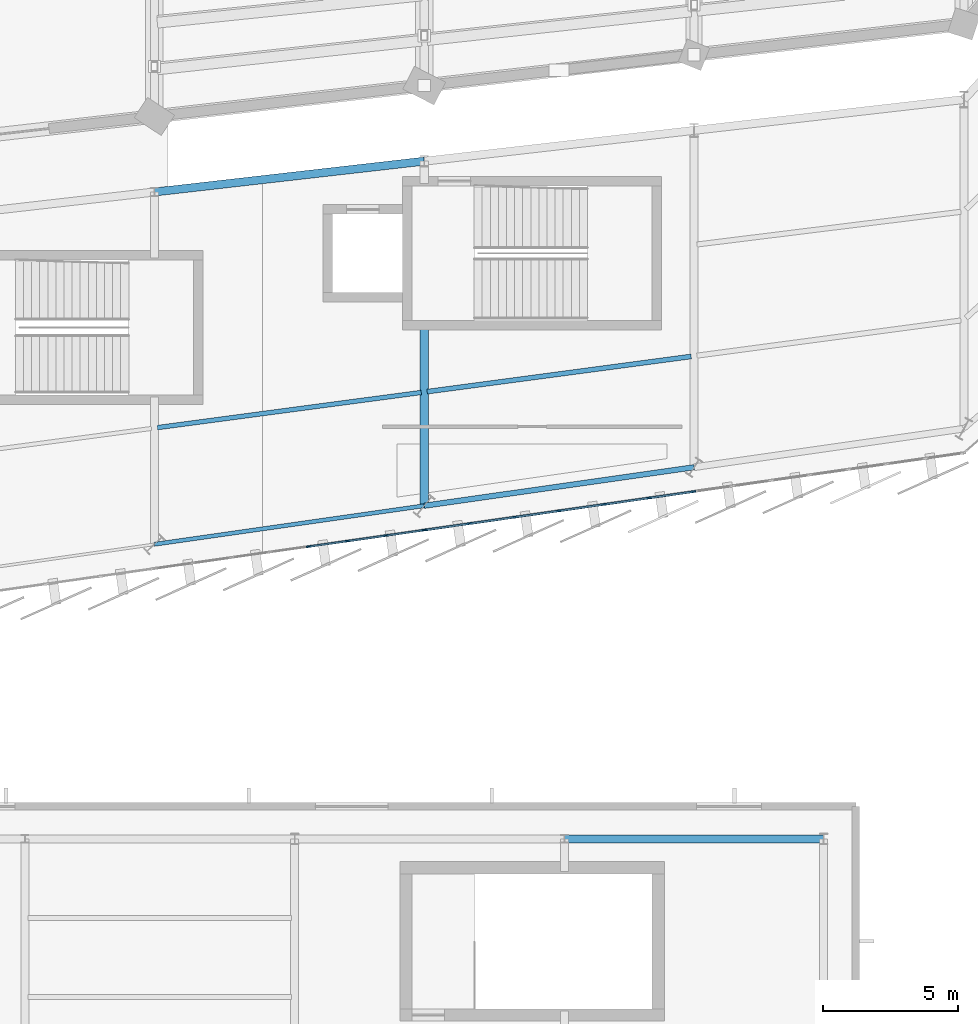
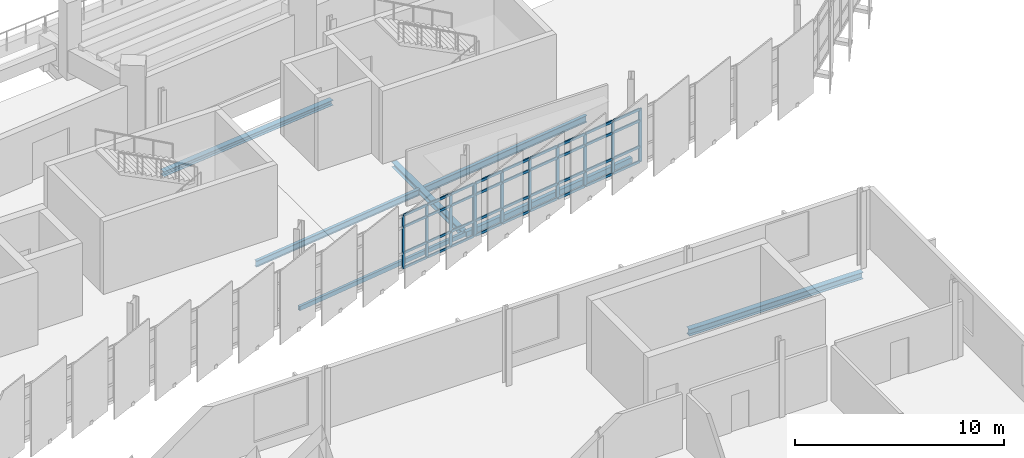
# One storey, part 57 of 120: 47 members, 7 beams, 2 elements without a shape of their own.
"""IFC4 building model written with IfcOpenShell, lengths in metres."""

from ifc_helpers import new_model, si_unit, direction, frame, origin, origin_2d, place, context, subcontext, project, spatial, rectangle, hollow_rectangle, i_section, extrude, material, layer, layer_set, material_profile, profile_set, type_object, element, aggregate, save


model = new_model("IFC4")

# Units and contexts
model_context = context("Model", 3, precision=1e-05, world=origin(), true_north=direction((0.0, 1.0)))
body_context = subcontext(model_context, "Body", "Model", "MODEL_VIEW")
ifc_project = project(units=[si_unit("LENGTHUNIT", "METRE"), si_unit("AREAUNIT", "SQUARE_METRE"), si_unit("VOLUMEUNIT", "CUBIC_METRE"), si_unit("PLANEANGLEUNIT", "RADIAN"), si_unit("MASSUNIT", "GRAM", prefix="KILO")], contexts=[model_context])

# Site, building, storey
site_placement = place(None, origin())
site = spatial("IfcSite", under=ifc_project, at=site_placement, CompositionType="ELEMENT")
building_placement = place(site_placement, origin())
building = spatial("IfcBuilding", under=site, at=building_placement, Name="Sohan Crest Arena", CompositionType="ELEMENT")
storey_placement = place(building_placement, frame((0.0, 0.0, 13.5)))
storey = spatial("IfcBuildingStorey", under=building, at=storey_placement, Name="L03", CompositionType="ELEMENT", Elevation=13.5)

# Curtain wall, members
ifc_material_1 = material(Name="Thermally broken anodised aluminium", Category="aluminium")
ifc_layer_1 = layer(ifc_material_1, 0.18994140625, Name="Thermally broken anodised aluminium")
ifc_layer_set_1 = layer_set([ifc_layer_1], Name="Thermally broken anodised aluminium")
curtain_wall_type_1 = type_object("IfcCurtainWallType", Name="ARC-CW05", PredefinedType="NOTDEFINED", material=ifc_layer_set_1)
curtain_wall_1_placement = place(storey_placement, origin())
curtain_wall_1 = element("IfcCurtainWall", 1, at=curtain_wall_1_placement, inside=storey, type_object=curtain_wall_type_1, Name="Unitised curtain wall CW-094", PredefinedType="NOTDEFINED")
ifc_material_profile_1 = material_profile(ifc_material_1, rectangle(XDim=0.06005859375, YDim=0.159912109375, at=origin_2d()), Name="ALU-MULL 60x160")
ifc_profile_set_1 = profile_set([ifc_material_profile_1], Name="Thermally broken anodised aluminium")
member_type_1 = type_object("IfcMemberType", Name="ARC-CW-ML01", PredefinedType="MULLION", material=ifc_profile_set_1)
member_1_placement = place(storey_placement, frame((143.71435546875, 35.630615234375, 0.0), z_axis=(0.0, 0.0, 1.0), x_axis=(-0.141462933734, 0.989943553128, 0.0)))
member_1 = element("IfcMember", 2, at=member_1_placement, type_object=member_type_1, Name="CW-094 mullion 5", PredefinedType="MULLION", context=body_context, shape_type="SweptSolid", body=[
    extrude(rectangle(XDim=0.06005859375, YDim=0.159912109375, at=origin_2d()), origin(), (0.0, 0.0, 1.0), 3.1201171875),
])
member_2_placement = place(storey_placement, frame((145.142822265625, 35.834716796875, 0.0), z_axis=(0.0, 0.0, 1.0), x_axis=(-0.141462933734, 0.989943553128, 0.0)))
member_2 = element("IfcMember", 3, at=member_2_placement, type_object=member_type_1, Name="CW-094 mullion 6", PredefinedType="MULLION", context=body_context, shape_type="SweptSolid", body=[
    extrude(rectangle(XDim=0.06005859375, YDim=0.159912109375, at=origin_2d()), origin(), (0.0, 0.0, 1.0), 3.1201171875),
])
member_3_placement = place(storey_placement, frame((146.571533203125, 36.038818359375, 0.0), z_axis=(0.0, 0.0, 1.0), x_axis=(-0.141462933734, 0.989943553128, 0.0)))
member_3 = element("IfcMember", 4, at=member_3_placement, type_object=member_type_1, Name="CW-094 mullion 7", PredefinedType="MULLION", context=body_context, shape_type="SweptSolid", body=[
    extrude(rectangle(XDim=0.06005859375, YDim=0.159912109375, at=origin_2d()), origin(), (0.0, 0.0, 1.0), 3.1201171875),
])
member_4_placement = place(storey_placement, frame((147.97021484375, 36.23876953125, 0.0), z_axis=(0.0, 0.0, 1.0), x_axis=(-0.141462933734, 0.989943553128, 0.0)))
member_4 = element("IfcMember", 5, at=member_4_placement, type_object=member_type_1, Name="CW-094 mullion 8", PredefinedType="MULLION", context=body_context, shape_type="SweptSolid", body=[
    extrude(rectangle(XDim=0.06005859375, YDim=0.159912109375, at=origin_2d()), origin(), (0.0, 0.0, 1.0), 3.1201171875),
])

ifc_layer_2 = layer(ifc_material_1, 0.2099609375, Name="Thermally broken anodised aluminium")
ifc_layer_set_2 = layer_set([ifc_layer_2], Name="Thermally broken anodised aluminium")
curtain_wall_type_2 = type_object("IfcCurtainWallType", Name="ARC-CW06", PredefinedType="NOTDEFINED", material=ifc_layer_set_2)
curtain_wall_2_placement = place(storey_placement, origin())
curtain_wall_2 = element("IfcCurtainWall", 6, at=curtain_wall_2_placement, inside=storey, type_object=curtain_wall_type_2, Name="Unitised curtain wall CW-095", PredefinedType="NOTDEFINED")
ifc_material_profile_2 = material_profile(ifc_material_1, rectangle(XDim=0.06494140625, YDim=0.179931640625, at=origin_2d()), Name="ALU-MULL 65x180")
ifc_profile_set_2 = profile_set([ifc_material_profile_2], Name="Thermally broken anodised aluminium")
member_type_2 = type_object("IfcMemberType", Name="ARC-CW-ML02", PredefinedType="MULLION", material=ifc_profile_set_2)
member_5_placement = place(storey_placement, frame((148.0322265625, 36.24755859375, 0.0), z_axis=(0.0, 0.0, 1.0), x_axis=(-0.141365918403, 0.989957411768, 0.0)))
member_5 = element("IfcMember", 7, at=member_5_placement, type_object=member_type_2, Name="CW-095 mullion 1", PredefinedType="MULLION", context=body_context, shape_type="SweptSolid", body=[
    extrude(rectangle(XDim=0.06494140625, YDim=0.179931640625, at=origin_2d()), origin(), (0.0, 0.0, 1.0), 3.1201171875),
])
member_6_placement = place(storey_placement, frame((149.666748046875, 36.48095703125, 0.0), z_axis=(0.0, 0.0, 1.0), x_axis=(-0.141365918403, 0.989957411768, 0.0)))
member_6 = element("IfcMember", 8, at=member_6_placement, type_object=member_type_2, Name="CW-095 mullion 2", PredefinedType="MULLION", context=body_context, shape_type="SweptSolid", body=[
    extrude(rectangle(XDim=0.06494140625, YDim=0.179931640625, at=origin_2d()), origin(), (0.0, 0.0, 1.0), 3.1201171875),
])
member_7_placement = place(storey_placement, frame((151.333251953125, 36.718994140625, 0.0), z_axis=(0.0, 0.0, 1.0), x_axis=(-0.141365918403, 0.989957411768, 0.0)))
member_7 = element("IfcMember", 9, at=member_7_placement, type_object=member_type_2, Name="CW-095 mullion 3", PredefinedType="MULLION", context=body_context, shape_type="SweptSolid", body=[
    extrude(rectangle(XDim=0.06494140625, YDim=0.179931640625, at=origin_2d()), origin(), (0.0, 0.0, 1.0), 3.1201171875),
])
member_8_placement = place(storey_placement, frame((153.0, 36.95703125, 0.0), z_axis=(0.0, 0.0, 1.0), x_axis=(-0.141365918403, 0.989957411768, 0.0)))
member_8 = element("IfcMember", 10, at=member_8_placement, type_object=member_type_2, Name="CW-095 mullion 4", PredefinedType="MULLION", context=body_context, shape_type="SweptSolid", body=[
    extrude(rectangle(XDim=0.06494140625, YDim=0.179931640625, at=origin_2d()), origin(), (0.0, 0.0, 1.0), 3.1201171875),
])
member_9_placement = place(storey_placement, frame((154.666748046875, 37.195068359375, 0.0), z_axis=(0.0, 0.0, 1.0), x_axis=(-0.141365918403, 0.989957411768, 0.0)))
member_9 = element("IfcMember", 11, at=member_9_placement, type_object=member_type_2, Name="CW-095 mullion 5", PredefinedType="MULLION", context=body_context, shape_type="SweptSolid", body=[
    extrude(rectangle(XDim=0.06494140625, YDim=0.179931640625, at=origin_2d()), origin(), (0.0, 0.0, 1.0), 3.1201171875),
])
member_10_placement = place(storey_placement, frame((156.333251953125, 37.43310546875, 0.0), z_axis=(0.0, 0.0, 1.0), x_axis=(-0.141365918403, 0.989957411768, 0.0)))
member_10 = element("IfcMember", 12, at=member_10_placement, type_object=member_type_2, Name="CW-095 mullion 6", PredefinedType="MULLION", context=body_context, shape_type="SweptSolid", body=[
    extrude(rectangle(XDim=0.06494140625, YDim=0.179931640625, at=origin_2d()), origin(), (0.0, 0.0, 1.0), 3.1201171875),
])
member_11_placement = place(storey_placement, frame((157.9677734375, 37.66650390625, 0.0), z_axis=(0.0, 0.0, 1.0), x_axis=(-0.141365918403, 0.989957411768, 0.0)))
member_11 = element("IfcMember", 13, at=member_11_placement, type_object=member_type_2, Name="CW-095 mullion 7", PredefinedType="MULLION", context=body_context, shape_type="SweptSolid", body=[
    extrude(rectangle(XDim=0.06494140625, YDim=0.179931640625, at=origin_2d()), origin(), (0.0, 0.0, 1.0), 3.1201171875),
])

# Member
ifc_material_profile_3 = material_profile(ifc_material_1, rectangle(XDim=0.06494140625, YDim=0.139892578125, at=origin_2d()), Name="ALU-TRAN 65x140")
ifc_profile_set_3 = profile_set([ifc_material_profile_3], Name="Thermally broken anodised aluminium")
member_type_3 = type_object("IfcMemberType", Name="ARC-CW-TR02", PredefinedType="USERDEFINED", material=ifc_profile_set_3)
member_12_placement = place(storey_placement, frame((143.743896484375, 35.634765625, 0.032470703125), z_axis=(0.989928300068, 0.141569632071, 0.0), x_axis=(-0.141569632071, 0.989928300068, 0.0)))
member_12 = element("IfcMember", 14, at=member_12_placement, type_object=member_type_3, Name="CW-094 transom 5.1", ObjectType="TRANSOM", PredefinedType="USERDEFINED", context=body_context, shape_type="SweptSolid", body=[
    extrude(rectangle(XDim=0.06494140625, YDim=0.139892578125, at=origin_2d()), origin(), (0.0, 0.0, 1.0), 1.383056640625),
])

member_13_placement = place(storey_placement, frame((143.743896484375, 35.634765625, 0.89990234375), z_axis=(0.989928300068, 0.141569632071, 0.0), x_axis=(-0.141569632071, 0.989928300068, 0.0)))
member_13 = element("IfcMember", 15, at=member_13_placement, type_object=member_type_3, Name="CW-094 transom 5.2", ObjectType="TRANSOM", PredefinedType="USERDEFINED", context=body_context, shape_type="SweptSolid", body=[
    extrude(rectangle(XDim=0.06494140625, YDim=0.139892578125, at=origin_2d()), origin(), (0.0, 0.0, 1.0), 1.383056640625),
])

member_14_placement = place(storey_placement, frame((143.743896484375, 35.634765625, 2.419921875), z_axis=(0.989928300068, 0.141569632071, 0.0), x_axis=(-0.141569632071, 0.989928300068, 0.0)))
member_14 = element("IfcMember", 16, at=member_14_placement, type_object=member_type_3, Name="CW-094 transom 5.3", ObjectType="TRANSOM", PredefinedType="USERDEFINED", context=body_context, shape_type="SweptSolid", body=[
    extrude(rectangle(XDim=0.06494140625, YDim=0.139892578125, at=origin_2d()), origin(), (0.0, 0.0, 1.0), 1.383056640625),
])

member_15_placement = place(storey_placement, frame((143.743896484375, 35.634765625, 3.08740234375), z_axis=(0.989928300068, 0.141569632071, 0.0), x_axis=(-0.141569632071, 0.989928300068, 0.0)))
member_15 = element("IfcMember", 17, at=member_15_placement, type_object=member_type_3, Name="CW-094 transom 5.4", ObjectType="TRANSOM", PredefinedType="USERDEFINED", context=body_context, shape_type="SweptSolid", body=[
    extrude(rectangle(XDim=0.06494140625, YDim=0.139892578125, at=origin_2d()), origin(), (0.0, 0.0, 1.0), 1.383056640625),
])

member_16_placement = place(storey_placement, frame((145.172607421875, 35.8388671875, 0.032470703125), z_axis=(0.989928300068, 0.141569632071, 0.0), x_axis=(-0.141569632071, 0.989928300068, 0.0)))
member_16 = element("IfcMember", 18, at=member_16_placement, type_object=member_type_3, Name="CW-094 transom 6.1", ObjectType="TRANSOM", PredefinedType="USERDEFINED", context=body_context, shape_type="SweptSolid", body=[
    extrude(rectangle(XDim=0.06494140625, YDim=0.139892578125, at=origin_2d()), origin(), (0.0, 0.0, 1.0), 1.383056640625),
])

member_17_placement = place(storey_placement, frame((145.172607421875, 35.8388671875, 0.89990234375), z_axis=(0.989928300068, 0.141569632071, 0.0), x_axis=(-0.141569632071, 0.989928300068, 0.0)))
member_17 = element("IfcMember", 19, at=member_17_placement, type_object=member_type_3, Name="CW-094 transom 6.2", ObjectType="TRANSOM", PredefinedType="USERDEFINED", context=body_context, shape_type="SweptSolid", body=[
    extrude(rectangle(XDim=0.06494140625, YDim=0.139892578125, at=origin_2d()), origin(), (0.0, 0.0, 1.0), 1.383056640625),
])

member_18_placement = place(storey_placement, frame((145.172607421875, 35.8388671875, 2.419921875), z_axis=(0.989928300068, 0.141569632071, 0.0), x_axis=(-0.141569632071, 0.989928300068, 0.0)))
member_18 = element("IfcMember", 20, at=member_18_placement, type_object=member_type_3, Name="CW-094 transom 6.3", ObjectType="TRANSOM", PredefinedType="USERDEFINED", context=body_context, shape_type="SweptSolid", body=[
    extrude(rectangle(XDim=0.06494140625, YDim=0.139892578125, at=origin_2d()), origin(), (0.0, 0.0, 1.0), 1.383056640625),
])

member_19_placement = place(storey_placement, frame((145.172607421875, 35.8388671875, 3.08740234375), z_axis=(0.989928300068, 0.141569632071, 0.0), x_axis=(-0.141569632071, 0.989928300068, 0.0)))
member_19 = element("IfcMember", 21, at=member_19_placement, type_object=member_type_3, Name="CW-094 transom 6.4", ObjectType="TRANSOM", PredefinedType="USERDEFINED", context=body_context, shape_type="SweptSolid", body=[
    extrude(rectangle(XDim=0.06494140625, YDim=0.139892578125, at=origin_2d()), origin(), (0.0, 0.0, 1.0), 1.383056640625),
])

member_20_placement = place(storey_placement, frame((146.60107421875, 36.043212890625, 0.032470703125), z_axis=(0.989945885007, 0.141446614515, 0.0), x_axis=(-0.141446614515, 0.989945885007, 0.0)))
member_20 = element("IfcMember", 22, at=member_20_placement, type_object=member_type_3, Name="CW-094 transom 7.1", ObjectType="TRANSOM", PredefinedType="USERDEFINED", context=body_context, shape_type="SweptSolid", body=[
    extrude(rectangle(XDim=0.06494140625, YDim=0.139892578125, at=origin_2d()), origin(), (0.0, 0.0, 1.0), 1.353271484375),
])

member_21_placement = place(storey_placement, frame((146.60107421875, 36.043212890625, 0.89990234375), z_axis=(0.989945885007, 0.141446614515, 0.0), x_axis=(-0.141446614515, 0.989945885007, 0.0)))
member_21 = element("IfcMember", 23, at=member_21_placement, type_object=member_type_3, Name="CW-094 transom 7.2", ObjectType="TRANSOM", PredefinedType="USERDEFINED", context=body_context, shape_type="SweptSolid", body=[
    extrude(rectangle(XDim=0.06494140625, YDim=0.139892578125, at=origin_2d()), origin(), (0.0, 0.0, 1.0), 1.353271484375),
])

member_22_placement = place(storey_placement, frame((146.60107421875, 36.043212890625, 2.419921875), z_axis=(0.989945885007, 0.141446614515, 0.0), x_axis=(-0.141446614515, 0.989945885007, 0.0)))
member_22 = element("IfcMember", 24, at=member_22_placement, type_object=member_type_3, Name="CW-094 transom 7.3", ObjectType="TRANSOM", PredefinedType="USERDEFINED", context=body_context, shape_type="SweptSolid", body=[
    extrude(rectangle(XDim=0.06494140625, YDim=0.139892578125, at=origin_2d()), origin(), (0.0, 0.0, 1.0), 1.353271484375),
])

member_23_placement = place(storey_placement, frame((146.60107421875, 36.043212890625, 3.08740234375), z_axis=(0.989945885007, 0.141446614515, 0.0), x_axis=(-0.141446614515, 0.989945885007, 0.0)))
member_23 = element("IfcMember", 25, at=member_23_placement, type_object=member_type_3, Name="CW-094 transom 7.4", ObjectType="TRANSOM", PredefinedType="USERDEFINED", context=body_context, shape_type="SweptSolid", body=[
    extrude(rectangle(XDim=0.06494140625, YDim=0.139892578125, at=origin_2d()), origin(), (0.0, 0.0, 1.0), 1.353271484375),
])

aggregate(curtain_wall_1, [member_1, member_2, member_3, member_4, member_12, member_13, member_14, member_15, member_16, member_17, member_18, member_19, member_20, member_21, member_22, member_23])

ifc_material_profile_4 = material_profile(ifc_material_1, rectangle(XDim=0.070068359375, YDim=0.14990234375, at=origin_2d()), Name="ALU-TRAN 70x150")
ifc_profile_set_4 = profile_set([ifc_material_profile_4], Name="Thermally broken anodised aluminium")
member_type_4 = type_object("IfcMemberType", Name="ARC-CW-TR03", PredefinedType="USERDEFINED", material=ifc_profile_set_4)
member_24_placement = place(storey_placement, frame((148.064453125, 36.252197265625, 0.034912109375), z_axis=(0.989964881435, 0.141313599931, 0.0), x_axis=(-0.141313599931, 0.989964881435, 0.0)))
member_24 = element("IfcMember", 26, at=member_24_placement, type_object=member_type_4, Name="CW-095 transom 1.1", ObjectType="TRANSOM", PredefinedType="USERDEFINED", context=body_context, shape_type="SweptSolid", body=[
    extrude(rectangle(XDim=0.070068359375, YDim=0.14990234375, at=origin_2d()), origin(), (0.0, 0.0, 1.0), 1.5859375),
])

member_25_placement = place(storey_placement, frame((148.064453125, 36.252197265625, 0.89990234375), z_axis=(0.989964881435, 0.141313599931, 0.0), x_axis=(-0.141313599931, 0.989964881435, 0.0)))
member_25 = element("IfcMember", 27, at=member_25_placement, type_object=member_type_4, Name="CW-095 transom 1.2", ObjectType="TRANSOM", PredefinedType="USERDEFINED", context=body_context, shape_type="SweptSolid", body=[
    extrude(rectangle(XDim=0.070068359375, YDim=0.14990234375, at=origin_2d()), origin(), (0.0, 0.0, 1.0), 1.5859375),
])

member_26_placement = place(storey_placement, frame((148.064453125, 36.252197265625, 2.419921875), z_axis=(0.989964881435, 0.141313599931, 0.0), x_axis=(-0.141313599931, 0.989964881435, 0.0)))
member_26 = element("IfcMember", 28, at=member_26_placement, type_object=member_type_4, Name="CW-095 transom 1.3", ObjectType="TRANSOM", PredefinedType="USERDEFINED", context=body_context, shape_type="SweptSolid", body=[
    extrude(rectangle(XDim=0.070068359375, YDim=0.14990234375, at=origin_2d()), origin(), (0.0, 0.0, 1.0), 1.5859375),
])

member_27_placement = place(storey_placement, frame((148.064453125, 36.252197265625, 3.0849609375), z_axis=(0.989964881435, 0.141313599931, 0.0), x_axis=(-0.141313599931, 0.989964881435, 0.0)))
member_27 = element("IfcMember", 29, at=member_27_placement, type_object=member_type_4, Name="CW-095 transom 1.4", ObjectType="TRANSOM", PredefinedType="USERDEFINED", context=body_context, shape_type="SweptSolid", body=[
    extrude(rectangle(XDim=0.070068359375, YDim=0.14990234375, at=origin_2d()), origin(), (0.0, 0.0, 1.0), 1.5859375),
])

member_28_placement = place(storey_placement, frame((149.69873046875, 36.485595703125, 0.034912109375), z_axis=(0.989964569759, 0.141315783343, 0.0), x_axis=(-0.141315783343, 0.989964569759, 0.0)))
member_28 = element("IfcMember", 30, at=member_28_placement, type_object=member_type_4, Name="CW-095 transom 2.1", ObjectType="TRANSOM", PredefinedType="USERDEFINED", context=body_context, shape_type="SweptSolid", body=[
    extrude(rectangle(XDim=0.070068359375, YDim=0.14990234375, at=origin_2d()), origin(), (0.0, 0.0, 1.0), 1.618896484375),
])

member_29_placement = place(storey_placement, frame((149.69873046875, 36.485595703125, 0.89990234375), z_axis=(0.989964569759, 0.141315783343, 0.0), x_axis=(-0.141315783343, 0.989964569759, 0.0)))
member_29 = element("IfcMember", 31, at=member_29_placement, type_object=member_type_4, Name="CW-095 transom 2.2", ObjectType="TRANSOM", PredefinedType="USERDEFINED", context=body_context, shape_type="SweptSolid", body=[
    extrude(rectangle(XDim=0.070068359375, YDim=0.14990234375, at=origin_2d()), origin(), (0.0, 0.0, 1.0), 1.618896484375),
])

member_30_placement = place(storey_placement, frame((149.69873046875, 36.485595703125, 2.419921875), z_axis=(0.989964569759, 0.141315783343, 0.0), x_axis=(-0.141315783343, 0.989964569759, 0.0)))
member_30 = element("IfcMember", 32, at=member_30_placement, type_object=member_type_4, Name="CW-095 transom 2.3", ObjectType="TRANSOM", PredefinedType="USERDEFINED", context=body_context, shape_type="SweptSolid", body=[
    extrude(rectangle(XDim=0.070068359375, YDim=0.14990234375, at=origin_2d()), origin(), (0.0, 0.0, 1.0), 1.618896484375),
])

member_31_placement = place(storey_placement, frame((149.69873046875, 36.485595703125, 3.0849609375), z_axis=(0.989964569759, 0.141315783343, 0.0), x_axis=(-0.141315783343, 0.989964569759, 0.0)))
member_31 = element("IfcMember", 33, at=member_31_placement, type_object=member_type_4, Name="CW-095 transom 2.4", ObjectType="TRANSOM", PredefinedType="USERDEFINED", context=body_context, shape_type="SweptSolid", body=[
    extrude(rectangle(XDim=0.070068359375, YDim=0.14990234375, at=origin_2d()), origin(), (0.0, 0.0, 1.0), 1.618896484375),
])

member_32_placement = place(storey_placement, frame((151.365478515625, 36.7236328125, 0.034912109375), z_axis=(0.989961557241, 0.141336885439, 0.0), x_axis=(-0.141336885439, 0.989961557241, 0.0)))
member_32 = element("IfcMember", 34, at=member_32_placement, type_object=member_type_4, Name="CW-095 transom 3.1", ObjectType="TRANSOM", PredefinedType="USERDEFINED", context=body_context, shape_type="SweptSolid", body=[
    extrude(rectangle(XDim=0.070068359375, YDim=0.14990234375, at=origin_2d()), origin(), (0.0, 0.0, 1.0), 1.61865234375),
])

member_33_placement = place(storey_placement, frame((151.365478515625, 36.7236328125, 0.89990234375), z_axis=(0.989961557241, 0.141336885439, 0.0), x_axis=(-0.141336885439, 0.989961557241, 0.0)))
member_33 = element("IfcMember", 35, at=member_33_placement, type_object=member_type_4, Name="CW-095 transom 3.2", ObjectType="TRANSOM", PredefinedType="USERDEFINED", context=body_context, shape_type="SweptSolid", body=[
    extrude(rectangle(XDim=0.070068359375, YDim=0.14990234375, at=origin_2d()), origin(), (0.0, 0.0, 1.0), 1.61865234375),
])

member_34_placement = place(storey_placement, frame((151.365478515625, 36.7236328125, 2.419921875), z_axis=(0.989961557241, 0.141336885439, 0.0), x_axis=(-0.141336885439, 0.989961557241, 0.0)))
member_34 = element("IfcMember", 36, at=member_34_placement, type_object=member_type_4, Name="CW-095 transom 3.3", ObjectType="TRANSOM", PredefinedType="USERDEFINED", context=body_context, shape_type="SweptSolid", body=[
    extrude(rectangle(XDim=0.070068359375, YDim=0.14990234375, at=origin_2d()), origin(), (0.0, 0.0, 1.0), 1.61865234375),
])

member_35_placement = place(storey_placement, frame((151.365478515625, 36.7236328125, 3.0849609375), z_axis=(0.989961557241, 0.141336885439, 0.0), x_axis=(-0.141336885439, 0.989961557241, 0.0)))
member_35 = element("IfcMember", 37, at=member_35_placement, type_object=member_type_4, Name="CW-095 transom 3.4", ObjectType="TRANSOM", PredefinedType="USERDEFINED", context=body_context, shape_type="SweptSolid", body=[
    extrude(rectangle(XDim=0.070068359375, YDim=0.14990234375, at=origin_2d()), origin(), (0.0, 0.0, 1.0), 1.61865234375),
])

member_36_placement = place(storey_placement, frame((153.0322265625, 36.961669921875, 0.034912109375), z_axis=(0.989961557241, 0.141336885439, 0.0), x_axis=(-0.141336885439, 0.989961557241, 0.0)))
member_36 = element("IfcMember", 38, at=member_36_placement, type_object=member_type_4, Name="CW-095 transom 4.1", ObjectType="TRANSOM", PredefinedType="USERDEFINED", context=body_context, shape_type="SweptSolid", body=[
    extrude(rectangle(XDim=0.070068359375, YDim=0.14990234375, at=origin_2d()), origin(), (0.0, 0.0, 1.0), 1.61865234375),
])

member_37_placement = place(storey_placement, frame((153.0322265625, 36.961669921875, 0.89990234375), z_axis=(0.989961557241, 0.141336885439, 0.0), x_axis=(-0.141336885439, 0.989961557241, 0.0)))
member_37 = element("IfcMember", 39, at=member_37_placement, type_object=member_type_4, Name="CW-095 transom 4.2", ObjectType="TRANSOM", PredefinedType="USERDEFINED", context=body_context, shape_type="SweptSolid", body=[
    extrude(rectangle(XDim=0.070068359375, YDim=0.14990234375, at=origin_2d()), origin(), (0.0, 0.0, 1.0), 1.61865234375),
])

member_38_placement = place(storey_placement, frame((153.0322265625, 36.961669921875, 2.419921875), z_axis=(0.989961557241, 0.141336885439, 0.0), x_axis=(-0.141336885439, 0.989961557241, 0.0)))
member_38 = element("IfcMember", 40, at=member_38_placement, type_object=member_type_4, Name="CW-095 transom 4.3", ObjectType="TRANSOM", PredefinedType="USERDEFINED", context=body_context, shape_type="SweptSolid", body=[
    extrude(rectangle(XDim=0.070068359375, YDim=0.14990234375, at=origin_2d()), origin(), (0.0, 0.0, 1.0), 1.61865234375),
])

member_39_placement = place(storey_placement, frame((153.0322265625, 36.961669921875, 3.0849609375), z_axis=(0.989961557241, 0.141336885439, 0.0), x_axis=(-0.141336885439, 0.989961557241, 0.0)))
member_39 = element("IfcMember", 41, at=member_39_placement, type_object=member_type_4, Name="CW-095 transom 4.4", ObjectType="TRANSOM", PredefinedType="USERDEFINED", context=body_context, shape_type="SweptSolid", body=[
    extrude(rectangle(XDim=0.070068359375, YDim=0.14990234375, at=origin_2d()), origin(), (0.0, 0.0, 1.0), 1.61865234375),
])

member_40_placement = place(storey_placement, frame((154.69873046875, 37.19970703125, 0.034912109375), z_axis=(0.989964569759, 0.141315783343, 0.0), x_axis=(-0.141315783343, 0.989964569759, 0.0)))
member_40 = element("IfcMember", 42, at=member_40_placement, type_object=member_type_4, Name="CW-095 transom 5.1", ObjectType="TRANSOM", PredefinedType="USERDEFINED", context=body_context, shape_type="SweptSolid", body=[
    extrude(rectangle(XDim=0.070068359375, YDim=0.14990234375, at=origin_2d()), origin(), (0.0, 0.0, 1.0), 1.618896484375),
])

member_41_placement = place(storey_placement, frame((154.69873046875, 37.19970703125, 0.89990234375), z_axis=(0.989964569759, 0.141315783343, 0.0), x_axis=(-0.141315783343, 0.989964569759, 0.0)))
member_41 = element("IfcMember", 43, at=member_41_placement, type_object=member_type_4, Name="CW-095 transom 5.2", ObjectType="TRANSOM", PredefinedType="USERDEFINED", context=body_context, shape_type="SweptSolid", body=[
    extrude(rectangle(XDim=0.070068359375, YDim=0.14990234375, at=origin_2d()), origin(), (0.0, 0.0, 1.0), 1.618896484375),
])

member_42_placement = place(storey_placement, frame((154.69873046875, 37.19970703125, 2.419921875), z_axis=(0.989964569759, 0.141315783343, 0.0), x_axis=(-0.141315783343, 0.989964569759, 0.0)))
member_42 = element("IfcMember", 44, at=member_42_placement, type_object=member_type_4, Name="CW-095 transom 5.3", ObjectType="TRANSOM", PredefinedType="USERDEFINED", context=body_context, shape_type="SweptSolid", body=[
    extrude(rectangle(XDim=0.070068359375, YDim=0.14990234375, at=origin_2d()), origin(), (0.0, 0.0, 1.0), 1.618896484375),
])

member_43_placement = place(storey_placement, frame((154.69873046875, 37.19970703125, 3.0849609375), z_axis=(0.989964569759, 0.141315783343, 0.0), x_axis=(-0.141315783343, 0.989964569759, 0.0)))
member_43 = element("IfcMember", 45, at=member_43_placement, type_object=member_type_4, Name="CW-095 transom 5.4", ObjectType="TRANSOM", PredefinedType="USERDEFINED", context=body_context, shape_type="SweptSolid", body=[
    extrude(rectangle(XDim=0.070068359375, YDim=0.14990234375, at=origin_2d()), origin(), (0.0, 0.0, 1.0), 1.618896484375),
])

member_44_placement = place(storey_placement, frame((156.365478515625, 37.4375, 0.034912109375), z_axis=(0.989943335402, 0.141464457353, 0.0), x_axis=(-0.141464457353, 0.989943335402, 0.0)))
member_44 = element("IfcMember", 46, at=member_44_placement, type_object=member_type_4, Name="CW-095 transom 6.1", ObjectType="TRANSOM", PredefinedType="USERDEFINED", context=body_context, shape_type="SweptSolid", body=[
    extrude(rectangle(XDim=0.070068359375, YDim=0.14990234375, at=origin_2d()), origin(), (0.0, 0.0, 1.0), 1.5859375),
])

member_45_placement = place(storey_placement, frame((156.365478515625, 37.4375, 0.89990234375), z_axis=(0.989943335402, 0.141464457353, 0.0), x_axis=(-0.141464457353, 0.989943335402, 0.0)))
member_45 = element("IfcMember", 47, at=member_45_placement, type_object=member_type_4, Name="CW-095 transom 6.2", ObjectType="TRANSOM", PredefinedType="USERDEFINED", context=body_context, shape_type="SweptSolid", body=[
    extrude(rectangle(XDim=0.070068359375, YDim=0.14990234375, at=origin_2d()), origin(), (0.0, 0.0, 1.0), 1.5859375),
])

member_46_placement = place(storey_placement, frame((156.365478515625, 37.4375, 2.419921875), z_axis=(0.989943335402, 0.141464457353, 0.0), x_axis=(-0.141464457353, 0.989943335402, 0.0)))
member_46 = element("IfcMember", 48, at=member_46_placement, type_object=member_type_4, Name="CW-095 transom 6.3", ObjectType="TRANSOM", PredefinedType="USERDEFINED", context=body_context, shape_type="SweptSolid", body=[
    extrude(rectangle(XDim=0.070068359375, YDim=0.14990234375, at=origin_2d()), origin(), (0.0, 0.0, 1.0), 1.5859375),
])

member_47_placement = place(storey_placement, frame((156.365478515625, 37.4375, 3.0849609375), z_axis=(0.989943335402, 0.141464457353, 0.0), x_axis=(-0.141464457353, 0.989943335402, 0.0)))
member_47 = element("IfcMember", 49, at=member_47_placement, type_object=member_type_4, Name="CW-095 transom 6.4", ObjectType="TRANSOM", PredefinedType="USERDEFINED", context=body_context, shape_type="SweptSolid", body=[
    extrude(rectangle(XDim=0.070068359375, YDim=0.14990234375, at=origin_2d()), origin(), (0.0, 0.0, 1.0), 1.5859375),
])

aggregate(curtain_wall_2, [member_5, member_6, member_7, member_8, member_9, member_10, member_11, member_24, member_25, member_26, member_27, member_28, member_29, member_30, member_31, member_32, member_33, member_34, member_35, member_36, member_37, member_38, member_39, member_40, member_41, member_42, member_43, member_44, member_45, member_46, member_47])

# Beams
ifc_material_2 = material(Name="Steel S355", Category="steel")
ifc_material_profile_5 = material_profile(ifc_material_2, i_section(OverallWidth=0.169921875, OverallDepth=0.360107421875, WebThickness=0.008056640625, FlangeThickness=0.0126953125, at=origin_2d()), Name="IPE 360")
ifc_profile_set_5 = profile_set([ifc_material_profile_5], Name="Steel S355")
beam_type_1 = type_object("IfcBeamType", Name="STR-BM-B02", PredefinedType="JOIST", material=ifc_profile_set_5)
beam_1_placement = place(storey_placement, frame((138.10888671875, 40.0380859375, -0.429931640625), z_axis=(0.991232437337, 0.132129690721, 0.0), x_axis=(-0.132129690721, 0.991232437337, 0.0)))
element("IfcBeam", 50, at=beam_1_placement, inside=storey, type_object=beam_type_1, Name="Structural beam J-L03-1469", PredefinedType="JOIST", context=body_context, shape_type="SweptSolid", body=[
    extrude(i_section(OverallWidth=0.169921875, OverallDepth=0.360107421875, WebThickness=0.008056640625, FlangeThickness=0.0126953125, at=origin_2d()), origin(), (0.0, 0.0, 1.0), 9.86865234375),
])
ifc_material_profile_6 = material_profile(ifc_material_2, i_section(OverallWidth=0.179931640625, OverallDepth=0.39990234375, WebThickness=0.008544921875, FlangeThickness=0.013427734375, at=origin_2d()), Name="IPE 400")
ifc_profile_set_6 = profile_set([ifc_material_profile_6], Name="Steel S355")
beam_type_2 = type_object("IfcBeamType", Name="STR-BM-B03", PredefinedType="JOIST", material=ifc_profile_set_6)
beam_2_placement = place(storey_placement, frame((148.10888671875, 41.3720703125, -0.449951171875), z_axis=(0.991232437337, 0.132129690721, 0.0), x_axis=(-0.132129690721, 0.991232437337, 0.0)))
element("IfcBeam", 51, at=beam_2_placement, inside=storey, type_object=beam_type_2, Name="Structural beam J-L03-1474", PredefinedType="JOIST", context=body_context, shape_type="SweptSolid", body=[
    extrude(i_section(OverallWidth=0.179931640625, OverallDepth=0.39990234375, WebThickness=0.008544921875, FlangeThickness=0.013427734375, at=origin_2d()), origin(), (0.0, 0.0, 1.0), 9.86865234375),
])
ifc_material_profile_7 = material_profile(ifc_material_2, i_section(OverallWidth=0.300048828125, OverallDepth=0.389892578125, WebThickness=0.010986328125, FlangeThickness=0.01904296875, at=origin_2d()), Name="HEA 400")
ifc_profile_set_7 = profile_set([ifc_material_profile_7], Name="Steel S355")
beam_type_3 = type_object("IfcBeamType", Name="STR-BM-B09", PredefinedType="BEAM", material=ifc_profile_set_7)
beam_3_placement = place(storey_placement, frame((153.199951171875, 24.800048828125, -0.445068359375), z_axis=(1.0, 0.0, 0.0), x_axis=(0.0, 1.0, 0.0)))
element("IfcBeam", 52, at=beam_3_placement, inside=storey, type_object=beam_type_3, Name="Structural beam G-L03-2769", PredefinedType="BEAM", context=body_context, shape_type="SweptSolid", body=[
    extrude(i_section(OverallWidth=0.300048828125, OverallDepth=0.389892578125, WebThickness=0.010986328125, FlangeThickness=0.01904296875, at=origin_2d()), origin(), (0.0, 0.0, 1.0), 9.60009765625),
])
ifc_material_profile_8 = material_profile(ifc_material_2, i_section(OverallWidth=0.300048828125, OverallDepth=0.300048828125, WebThickness=0.010986328125, FlangeThickness=0.01904296875, at=origin_2d()), Name="HEB 300")
ifc_profile_set_8 = profile_set([ifc_material_profile_8], Name="Steel S355")
beam_type_4 = type_object("IfcBeamType", Name="STR-BM-B12", PredefinedType="BEAM", material=ifc_profile_set_8)
beam_4_placement = place(storey_placement, frame((138.0, 48.77099609375, -0.39990234375), z_axis=(0.99353032697, 0.113567114035, 0.0), x_axis=(-0.113567114035, 0.99353032697, 0.0)))
element("IfcBeam", 53, at=beam_4_placement, inside=storey, type_object=beam_type_4, Name="Structural beam G-L03-1467", PredefinedType="BEAM", context=body_context, shape_type="SweptSolid", body=[
    extrude(i_section(OverallWidth=0.300048828125, OverallDepth=0.300048828125, WebThickness=0.010986328125, FlangeThickness=0.01904296875, at=origin_2d()), origin(), (0.0, 0.0, 1.0), 10.065185546875),
])
beam_5_placement = place(storey_placement, frame((148.0, 43.919921875, -0.39990234375), z_axis=(0.0, -1.0, 0.0), x_axis=(1.0, 0.0, 0.0)))
element("IfcBeam", 54, at=beam_5_placement, inside=storey, type_object=beam_type_4, Name="Structural beam G-L03-1471", PredefinedType="BEAM", context=body_context, shape_type="SweptSolid", body=[
    extrude(i_section(OverallWidth=0.300048828125, OverallDepth=0.300048828125, WebThickness=0.010986328125, FlangeThickness=0.01904296875, at=origin_2d()), origin(), (0.0, 0.0, 1.0), 6.77685546875),
])
ifc_material_profile_9 = material_profile(ifc_material_2, hollow_rectangle(XDim=0.14990234375, YDim=0.25, WallThickness=0.010009765625, at=origin_2d()), Name="RHS 250x150x10")
ifc_profile_set_9 = profile_set([ifc_material_profile_9], Name="Steel S355")
beam_type_5 = type_object("IfcBeamType", Name="STR-BM-SP02", PredefinedType="SPANDREL", material=ifc_profile_set_9)
beam_6_placement = place(storey_placement, frame((138.0, 35.714111328125, -0.375), z_axis=(0.989944175879, 0.141458575718, 0.0), x_axis=(-0.141458575718, 0.989944175879, 0.0)))
element("IfcBeam", 55, at=beam_6_placement, inside=storey, type_object=beam_type_5, Name="Structural beam SP-L03-1468", PredefinedType="SPANDREL", context=body_context, shape_type="SweptSolid", body=[
    extrude(hollow_rectangle(XDim=0.14990234375, YDim=0.25, WallThickness=0.010009765625, at=origin_2d()), origin(), (0.0, 0.0, 1.0), 10.1015625),
])
ifc_material_profile_10 = material_profile(ifc_material_2, hollow_rectangle(XDim=0.199951171875, YDim=0.300048828125, WallThickness=0.010009765625, at=origin_2d()), Name="RHS 300x200x10")
ifc_profile_set_10 = profile_set([ifc_material_profile_10], Name="Steel S355")
beam_type_6 = type_object("IfcBeamType", Name="STR-BM-SP03", PredefinedType="SPANDREL", material=ifc_profile_set_10)
beam_7_placement = place(storey_placement, frame((148.0, 37.14306640625, -0.39990234375), z_axis=(0.989957709412, 0.141363834042, 0.0), x_axis=(-0.141363834042, 0.989957709412, 0.0)))
element("IfcBeam", 56, at=beam_7_placement, inside=storey, type_object=beam_type_6, Name="Structural beam SP-L03-1473", PredefinedType="SPANDREL", context=body_context, shape_type="SweptSolid", body=[
    extrude(hollow_rectangle(XDim=0.199951171875, YDim=0.300048828125, WallThickness=0.010009765625, at=origin_2d()), origin(), (0.0, 0.0, 1.0), 10.1015625),
])

save(model, "model.ifc")
